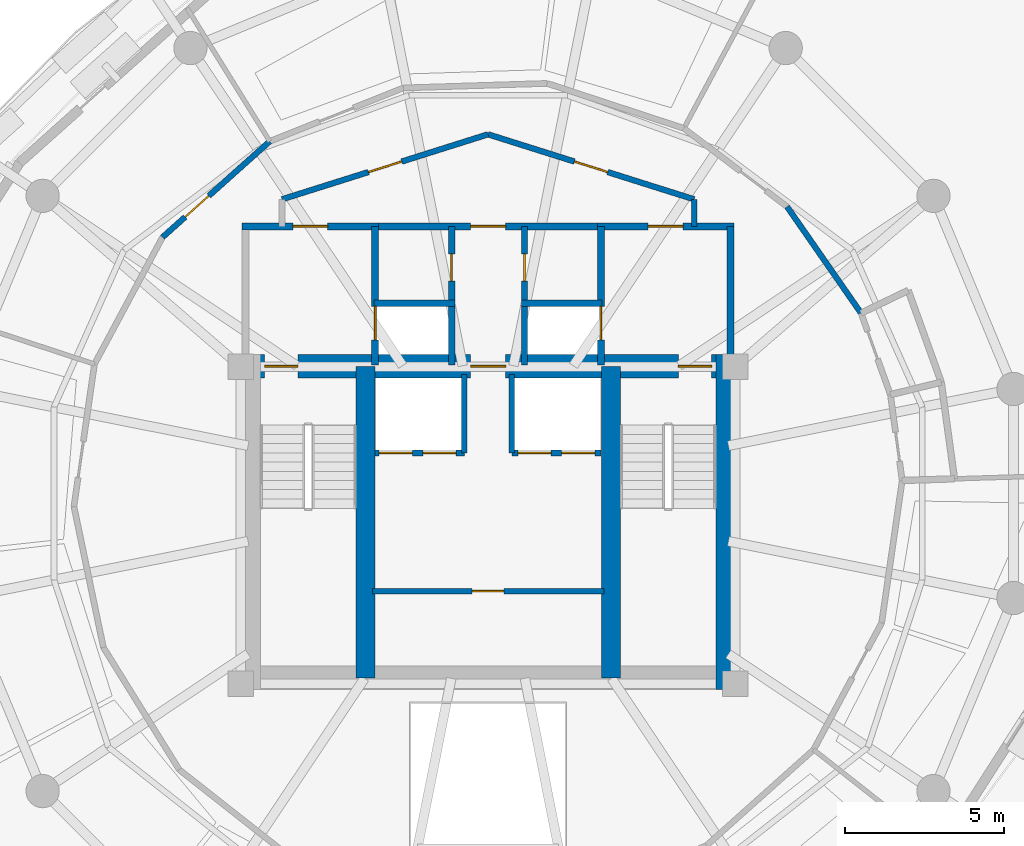
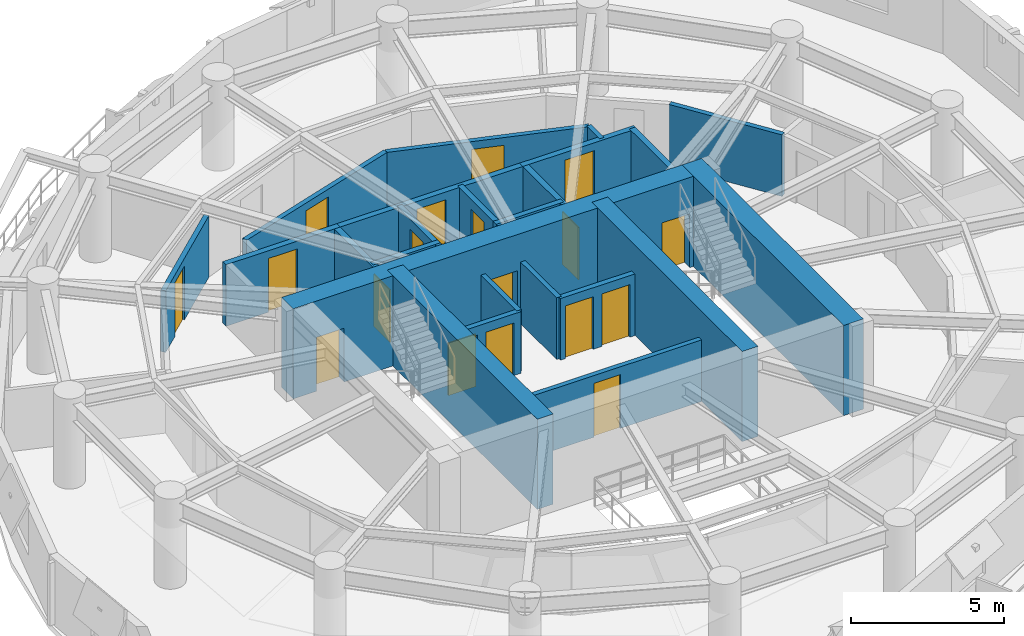
# One storey, part 8 of 12: 24 walls, 18 doors, 18 openings.
"""IFC4 building model written with IfcOpenShell, lengths in metres."""

import ifcopenshell
import ifcopenshell.guid

model = None  # the IFC model being written
_history = None  # IfcOwnerHistory: only IFC2X3 demands one
_inside = {}  # id of a spatial element -> (the spatial element, [elements in it])
_under = {}  # id of a project, library or spatial element -> (it, [spatial elements below it])
_declared = {}  # id of a project -> (the project, [libraries it declares])
_typed = {}  # id of a type object -> (the type object, [elements of that type])
_made_of = {}  # id of a material, layer set ... -> (it, [elements and type objects made of it])


def new_model(schema):
    """Start an empty IFC model of exactly this schema.

    Asked for "IFC4X3", IfcOpenShell would pick the latest addendum, in which some entities
    have other attributes; the version numbers below select the first issue.
    IFC2X3 requires an IfcOwnerHistory on every rooted entity: one is made here for all.
    """
    global model, _history
    if schema == "IFC4X3":
        model = ifcopenshell.file(schema_version=(4, 3, 0, 0))
    else:
        model = ifcopenshell.file(schema=schema)
    _inside.clear()
    _under.clear()
    _declared.clear()
    _typed.clear()
    _made_of.clear()
    _history = None
    if model.schema == "IFC2X3":
        org = make("IfcOrganization", Name="unknown")
        user = make(
            "IfcPersonAndOrganization",
            ThePerson=make("IfcPerson", FamilyName="unknown"),
            TheOrganization=org,
        )
        app = make(
            "IfcApplication",
            ApplicationDeveloper=org,
            Version="unknown",
            ApplicationFullName="unknown",
            ApplicationIdentifier="unknown",
        )
        _history = make(
            "IfcOwnerHistory",
            OwningUser=user,
            OwningApplication=app,
            ChangeAction="ADDED",
            CreationDate=0,
        )
    return model


def make(cls, **values):
    """One entity of the class cls with the attributes given. An attribute that is None is left unset."""
    return model.create_entity(
        cls, **{name: value for name, value in values.items() if value is not None}
    )


def rooted(cls, **values):
    """An entity with a GlobalId (a new one), such as an element, a storey or a relation."""
    return make(cls, GlobalId=ifcopenshell.guid.new(), OwnerHistory=_history, **values)


def si_unit(unit_type, name, prefix=None):
    """IfcSIUnit, for example si_unit("LENGTHUNIT", "METRE", prefix="MILLI")."""
    return make("IfcSIUnit", UnitType=unit_type, Prefix=prefix, Name=name)


def assignment(units):
    """IfcUnitAssignment: the units of a project."""
    return None if units is None else make("IfcUnitAssignment", Units=units)


def point(xyz):
    """IfcCartesianPoint."""
    return None if xyz is None else make("IfcCartesianPoint", Coordinates=xyz)


def direction(xyz):
    """IfcDirection."""
    return None if xyz is None else make("IfcDirection", DirectionRatios=xyz)


def frame(location, z_axis=None, x_axis=None):
    """IfcAxis2Placement3D, a coordinate frame: its origin and axes. An axis left out is left unset."""
    return make(
        "IfcAxis2Placement3D",
        Location=point(location),
        Axis=direction(z_axis),
        RefDirection=direction(x_axis),
    )


def frame_2d(location, x_axis=None):
    """IfcAxis2Placement2D, a coordinate frame in the plane: its origin and x axis."""
    return make(
        "IfcAxis2Placement2D", Location=point(location), RefDirection=direction(x_axis)
    )


def origin():
    """The frame at (0, 0, 0) with its axes left unset."""
    return frame((0.0, 0.0, 0.0))


def place(relative_to, where):
    """IfcLocalPlacement: puts the frame where relative to a parent placement (None: the world)."""
    return make(
        "IfcLocalPlacement", PlacementRelTo=relative_to, RelativePlacement=where
    )


def context(
    kind, dimensions, precision=None, world=None, true_north=None, identifier=None
):
    """IfcGeometricRepresentationContext, for example the 3D "Model" context."""
    return make(
        "IfcGeometricRepresentationContext",
        ContextIdentifier=identifier,
        ContextType=kind,
        CoordinateSpaceDimension=dimensions,
        Precision=precision,
        WorldCoordinateSystem=world,
        TrueNorth=true_north,
    )


def subcontext(parent, identifier, kind, view, scale=None):
    """IfcGeometricRepresentationSubContext, for example "Body" below "Model"."""
    return make(
        "IfcGeometricRepresentationSubContext",
        ContextIdentifier=identifier,
        ContextType=kind,
        ParentContext=parent,
        TargetScale=scale,
        TargetView=view,
    )


def project(units=None, contexts=None):
    """IfcProject with its units and contexts."""
    return rooted(
        "IfcProject",
        Name="project",
        RepresentationContexts=contexts,
        UnitsInContext=assignment(units),
    )


def spatial(cls, under=None, at=None, **own):
    """A site, building, storey or space (cls), placed at a placement, below another one or the project."""
    s = rooted(cls, ObjectPlacement=at, **own)
    if under is not None:
        _under.setdefault(under.id(), (under, []))[1].append(s)
    return s


def profile(cls, at=None, kind="AREA", **sizes):
    """A parametric profile (cls). Its sizes go by their IFC names, for example OverallWidth=200.0."""
    return make(cls, ProfileType=kind, Position=at, **sizes)


def rectangle(**sizes):
    """IfcRectangleProfileDef."""
    return profile("IfcRectangleProfileDef", **sizes)


def extrude(swept, where, along, depth):
    """IfcExtrudedAreaSolid: the profile swept, set in the frame where, extruded along a direction by depth."""
    return make(
        "IfcExtrudedAreaSolid",
        SweptArea=swept,
        Position=where,
        ExtrudedDirection=direction(along),
        Depth=depth,
    )


def shape(context_of_items, identifier, shape_type, items):
    """IfcShapeRepresentation: the items that make up one representation, for example the "Body"."""
    return make(
        "IfcShapeRepresentation",
        ContextOfItems=context_of_items,
        RepresentationIdentifier=identifier,
        RepresentationType=shape_type,
        Items=items,
    )


def material(Name=None, Category=None):
    """IfcMaterial."""
    return make("IfcMaterial", Name=Name, Category=Category)


def layer(
    of_material, thickness, ventilated=None, Name=None, Category=None, Priority=None
):
    """IfcMaterialLayer: one layer of a wall or slab, of a material (None: an air gap)."""
    return make(
        "IfcMaterialLayer",
        Material=of_material,
        LayerThickness=thickness,
        IsVentilated=ventilated,
        Name=Name,
        Category=Category,
        Priority=Priority,
    )


def layer_set(layers, Name=None):
    """IfcMaterialLayerSet."""
    return make("IfcMaterialLayerSet", MaterialLayers=layers, LayerSetName=Name)


def made_of(thing, what):
    """Note that an element or type object is made of a material, layer set ...; save() writes the relation."""
    if what is not None:
        _made_of.setdefault(what.id(), (what, []))[1].append(thing)
    return thing


def type_object(cls, material=None, **own):
    """A type object (cls), such as IfcWallType, which elements share."""
    return made_of(rooted(cls, **own), material)


def element(
    cls,
    number,
    at=None,
    inside=None,
    cuts=None,
    type_object=None,
    material=None,
    context=None,
    identifier="Body",
    shape_type=None,
    held_by="IfcProductDefinitionShape",
    body=None,
    shapes=None,
    **own,
):
    """One element of the class cls, such as IfcWall. Its Tag is "e" and its number.

    at: its placement. inside: the storey or other place that contains it. cuts: it is an
    opening in that element (IfcRelVoidsElement). A single representation is given by context,
    identifier, shape_type and body (its items); several are given by shapes. held_by: the class
    of the entity that holds the representations. save() writes the other relations.
    """
    e = rooted(cls, Tag="e%d" % number, ObjectPlacement=at, **own)
    if body is not None:
        shapes = [shape(context, identifier, shape_type, body)]
    if shapes is not None:
        e.Representation = make(held_by, Representations=shapes)
    if inside is not None:
        _inside.setdefault(inside.id(), (inside, []))[1].append(e)
    if cuts is not None:
        rooted(
            "IfcRelVoidsElement", RelatingBuildingElement=cuts, RelatedOpeningElement=e
        )
    if type_object is not None:
        _typed.setdefault(type_object.id(), (type_object, []))[1].append(e)
    return made_of(e, material)


def fill(opening, filler):
    """IfcRelFillsElement: the door or window that sits in an opening."""
    return rooted(
        "IfcRelFillsElement",
        RelatingOpeningElement=opening,
        RelatedBuildingElement=filler,
    )


def aggregate(whole, parts):
    """IfcRelAggregates: a whole, such as a stair, and the parts it consists of."""
    return rooted("IfcRelAggregates", RelatingObject=whole, RelatedObjects=parts)


def save(model, path):
    """Write the relations noted so far, then the file.

    IfcRelAggregates (storeys below a building ...), IfcRelContainedInSpatialStructure (elements
    in a storey), IfcRelDefinesByType, IfcRelAssociatesMaterial and IfcRelDeclares: one each for
    every whole, place, type object, material and project.
    """
    for whole, parts in _under.values():
        aggregate(whole, parts)
    for where, things in _inside.values():
        rooted(
            "IfcRelContainedInSpatialStructure",
            RelatedElements=things,
            RelatingStructure=where,
        )
    for kind, things in _typed.values():
        rooted("IfcRelDefinesByType", RelatedObjects=things, RelatingType=kind)
    for what, things in _made_of.values():
        rooted("IfcRelAssociatesMaterial", RelatedObjects=things, RelatingMaterial=what)
    for by, libraries in _declared.values():
        rooted("IfcRelDeclares", RelatingContext=by, RelatedDefinitions=libraries)
    model.write(path)


model = new_model("IFC4")

# Units and contexts
model_context = context("Model", 3, precision=1e-05, world=origin(), true_north=direction((0.0, 1.0)))
body_context = subcontext(model_context, "Body", "Model", "MODEL_VIEW")
ifc_project = project(units=[si_unit("LENGTHUNIT", "METRE"), si_unit("AREAUNIT", "SQUARE_METRE"), si_unit("VOLUMEUNIT", "CUBIC_METRE"), si_unit("PLANEANGLEUNIT", "RADIAN"), si_unit("MASSUNIT", "GRAM", prefix="KILO"), si_unit("THERMODYNAMICTEMPERATUREUNIT", "KELVIN"), si_unit("POWERUNIT", "WATT")], contexts=[model_context])

# Site, building, storey
site_placement = place(None, origin())
site = spatial("IfcSite", under=ifc_project, at=site_placement, CompositionType="ELEMENT")
building_placement = place(site_placement, origin())
building = spatial("IfcBuilding", under=site, at=building_placement, Name="Ocrelia Relay Tower", CompositionType="ELEMENT")
storey_placement = place(building_placement, frame((0.0, 0.0, 206.0)))
storey = spatial("IfcBuildingStorey", under=building, at=storey_placement, Name="L50", CompositionType="ELEMENT", Elevation=206.0)

# Wall, openings, doors
ifc_material_1 = material(Name="Concrete C60/75", Category="concrete")
ifc_layer_1 = layer(ifc_material_1, 0.75, Name="Concrete C60/75")
ifc_layer_set_1 = layer_set([ifc_layer_1], Name="Concrete C60/75")
wall_type_1 = type_object("IfcWallType", Name="CW-CORE-750", PredefinedType="SHEAR", material=ifc_layer_set_1)
wall_1_placement = place(storey_placement, frame((26.072021484375, 30.012939453125, 0.0), z_axis=(0.0, 0.0, 1.0), x_axis=(1.0, 0.0, 0.0)))
wall_1 = element("IfcWall", 1, at=wall_1_placement, inside=storey, type_object=wall_type_1, Name="L50 Core Shear Wall N", PredefinedType="SHEAR", context=body_context, shape_type="SweptSolid", body=[
    extrude(rectangle(XDim=15.865966796875, YDim=0.75, at=frame_2d((7.93310546875, 0.0))), origin(), (0.0, 0.0, 1.0), 3.60009765625),
])
opening_1_placement = place(wall_1_placement, frame((0.8779296875, 0.0, 0.0)))
opening_1 = element("IfcOpeningElement", 2, at=opening_1_placement, cuts=wall_1, Name="Opening D-FD90", PredefinedType="OPENING", context=body_context, shape_type="SweptSolid", body=[
    extrude(rectangle(XDim=1.050048828125, YDim=2.14990234375, at=frame_2d((0.52490234375, 1.074951171875))), frame((0.0, 0.385009765625, 0.0), z_axis=(0.0, -1.0, 0.0), x_axis=(1.0, 0.0, 0.0)), (0.0, 0.0, 1.0), 0.77001953125),
])
opening_2_placement = place(wall_1_placement, frame((13.927978515625, 0.0, 0.0)))
opening_2 = element("IfcOpeningElement", 3, at=opening_2_placement, cuts=wall_1, Name="Opening D-FD90", PredefinedType="OPENING", context=body_context, shape_type="SweptSolid", body=[
    extrude(rectangle(XDim=1.050048828125, YDim=2.14990234375, at=frame_2d((0.52490234375, 1.074951171875))), frame((0.0, 0.385009765625, 0.0), z_axis=(0.0, -1.0, 0.0), x_axis=(1.0, 0.0, 0.0)), (0.0, 0.0, 1.0), 0.77001953125),
])
opening_3_placement = place(wall_1_placement, frame((7.3779296875, 0.0, 0.0)))
opening_3 = element("IfcOpeningElement", 4, at=opening_3_placement, cuts=wall_1, Name="Opening D-FD60", PredefinedType="OPENING", context=body_context, shape_type="SweptSolid", body=[
    extrude(rectangle(XDim=1.10009765625, YDim=2.14990234375, at=frame_2d((0.550048828125, 1.074951171875))), frame((0.0, 0.385009765625, 0.0), z_axis=(0.0, -1.0, 0.0), x_axis=(1.0, 0.0, 0.0)), (0.0, 0.0, 1.0), 0.77001953125),
])
ifc_material_2 = material(Name="Timber-core 60-min acoustic fire door", Category="wood")
door_type_1 = type_object("IfcDoorType", Name="DR-LOBBY-FD60-1100", OperationType="NOTDEFINED", PredefinedType="DOOR", material=ifc_material_2)
door_1_placement = place(opening_3_placement, origin())
door_1 = element("IfcDoor", 5, at=door_1_placement, inside=storey, type_object=door_type_1, Name="L50 Core Lift Lobby North Fire Door", OperationType="SINGLE_SWING_LEFT", OverallHeight=2.14990234375, OverallWidth=1.10009765625, PredefinedType="DOOR", context=body_context, shape_type="SweptSolid", body=[
    extrude(rectangle(XDim=1.10009765625, YDim=2.14990234375, at=frame_2d((0.550048828125, 1.074951171875))), frame((0.0, 0.02490234375, 0.0), z_axis=(0.0, -1.0, 0.0), x_axis=(1.0, 0.0, 0.0)), (0.0, 0.0, 1.0), 0.050048828125),
])
fill(opening_3, door_1)
ifc_material_3 = material(Name="Steel S355 90-min fire door", Category="steel")
door_type_2 = type_object("IfcDoorType", Name="DR-STAIR-FD90-1050", OperationType="NOTDEFINED", PredefinedType="DOOR", material=ifc_material_3)
door_2_placement = place(opening_1_placement, origin())
door_2 = element("IfcDoor", 6, at=door_2_placement, inside=storey, type_object=door_type_2, Name="L50 Stair ST1 Fire Door", OperationType="SINGLE_SWING_LEFT", OverallHeight=2.14990234375, OverallWidth=1.050048828125, PredefinedType="DOOR", context=body_context, shape_type="SweptSolid", body=[
    extrude(rectangle(XDim=1.050048828125, YDim=2.14990234375, at=frame_2d((0.52490234375, 1.074951171875))), frame((0.0, 0.02490234375, 0.0), z_axis=(0.0, -1.0, 0.0), x_axis=(1.0, 0.0, 0.0)), (0.0, 0.0, 1.0), 0.050048828125),
])
fill(opening_1, door_2)
door_3_placement = place(opening_2_placement, origin())
door_3 = element("IfcDoor", 7, at=door_3_placement, inside=storey, type_object=door_type_2, Name="L50 Stair ST2 Fire Door", OperationType="SINGLE_SWING_RIGHT", OverallHeight=2.14990234375, OverallWidth=1.050048828125, PredefinedType="DOOR", context=body_context, shape_type="SweptSolid", body=[
    extrude(rectangle(XDim=1.050048828125, YDim=2.14990234375, at=frame_2d((0.52490234375, 1.074951171875))), frame((0.0, 0.02490234375, 0.0), z_axis=(0.0, -1.0, 0.0), x_axis=(1.0, 0.0, 0.0)), (0.0, 0.0, 1.0), 0.050048828125),
])
fill(opening_2, door_3)

# Walls
wall_2_placement = place(storey_placement, frame((41.56298828125, 19.81201171875, 0.0), z_axis=(0.0, 0.0, 1.0), x_axis=(0.0, 1.0, 0.0)))
element("IfcWall", 8, at=wall_2_placement, inside=storey, type_object=wall_type_1, Name="L50 Core Shear Wall E", PredefinedType="SHEAR", context=body_context, shape_type="SweptSolid", body=[
    extrude(rectangle(XDim=10.575927734375, YDim=0.75, at=frame_2d((5.2880859375, 0.0))), origin(), (0.0, 0.0, 1.0), 3.60009765625),
])
for number, where, z_axis, x_axis, name in (
    (9, (30.137939453125, 20.18701171875, 0.0), (0.0, 0.0, 1.0), (0.0, 1.0, 0.0), "L50 Core Shear Wall SPW"),
    (10, (37.8720703125, 20.18701171875, 0.0), (0.0, 0.0, 1.0), (0.0, 1.0, 0.0), "L50 Core Shear Wall SPE"),
):
    element("IfcWall", number, at=place(storey_placement, frame(where, z_axis=z_axis, x_axis=x_axis)), inside=storey, type_object=wall_type_1, Name=name, PredefinedType="SHEAR", context=body_context, shape_type="SweptSolid", body=[
        extrude(rectangle(XDim=9.825927734375, YDim=0.60009765625, at=frame_2d((4.9130859375, 0.0))), origin(), (0.0, 0.0, 1.0), 3.60009765625),
    ])

# Wall, opening, door
ifc_material_4 = material(Name="Gypsum Fireboard Partition EI60", Category="gypsum")
ifc_layer_2 = layer(ifc_material_4, 0.179931640625, Name="Gypsum Fireboard Partition EI60")
ifc_layer_set_2 = layer_set([ifc_layer_2], Name="Gypsum Fireboard Partition EI60")
wall_type_2 = type_object("IfcWallType", Name="W-CORR-EI60-180", PredefinedType="PARTITIONING", material=ifc_layer_set_2)
wall_3_placement = place(storey_placement, frame((30.35009765625, 22.919921875, 0.0), z_axis=(0.0, 0.0, 1.0), x_axis=(1.0, 0.0, 0.0)))
wall_3 = element("IfcWall", 11, at=wall_3_placement, inside=storey, type_object=wall_type_2, Name="L50 Reclaimed Core Room Partition", PredefinedType="PARTITIONING", context=body_context, shape_type="SweptSolid", body=[
    extrude(rectangle(XDim=7.2998046875, YDim=0.179931640625, at=frame_2d((3.64990234375, 0.0))), origin(), (0.0, 0.0, 1.0), 2.4599609375),
])
opening_4_placement = place(wall_3_placement, frame((3.14990234375, 0.0, 0.0)))
opening_4 = element("IfcOpeningElement", 12, at=opening_4_placement, cuts=wall_3, Name="Opening D-RM100", PredefinedType="OPENING", context=body_context, shape_type="SweptSolid", body=[
    extrude(rectangle(XDim=1.0, YDim=2.14990234375, at=frame_2d((0.5, 1.074951171875))), frame((0.0, 0.10009765625, 0.0), z_axis=(0.0, -1.0, 0.0), x_axis=(1.0, 0.0, 0.0)), (0.0, 0.0, 1.0), 0.199951171875),
])
ifc_material_5 = material(Name="Acoustic oak veneer fire door", Category="wood")
door_type_3 = type_object("IfcDoorType", Name="DR-ROOM-FD60-1000", OperationType="NOTDEFINED", PredefinedType="DOOR", material=ifc_material_5)
door_4_placement = place(opening_4_placement, origin())
door_4 = element("IfcDoor", 13, at=door_4_placement, inside=storey, type_object=door_type_3, Name="L50 Calibration Laboratory Door", OperationType="SINGLE_SWING_LEFT", OverallHeight=2.14990234375, OverallWidth=1.0, PredefinedType="DOOR", context=body_context, shape_type="SweptSolid", body=[
    extrude(rectangle(XDim=1.0, YDim=2.14990234375, at=frame_2d((0.5, 1.074951171875))), frame((0.0, 0.02490234375, 0.0), z_axis=(0.0, -1.0, 0.0), x_axis=(1.0, 0.0, 0.0)), (0.0, 0.0, 1.0), 0.050048828125),
])
fill(opening_4, door_4)

# Wall
wall_4_placement = place(storey_placement, frame((40.5, 35.280029296875, 0.0), z_axis=(0.0, 0.0, 1.0), x_axis=(0.0, -1.0, 0.0)))
element("IfcWall", 14, at=wall_4_placement, inside=storey, type_object=wall_type_2, Name="L50 Smoke Lobby East Return", PredefinedType="PARTITIONING", context=body_context, shape_type="SweptSolid", body=[
    extrude(rectangle(XDim=0.85009765625, YDim=0.179931640625, at=frame_2d((0.425048828125, 0.0))), origin(), (0.0, 0.0, 1.0), 2.4599609375),
])

# Wall, opening, door
wall_5_placement = place(storey_placement, frame((27.5, 35.280029296875, 0.0), z_axis=(0.0, 0.0, 1.0), x_axis=(0.953691418528, 0.300786765376, 0.0)))
wall_5 = element("IfcWall", 15, at=wall_5_placement, inside=storey, type_object=wall_type_2, Name="L50 North Smoke Lobby W Screen Wall", PredefinedType="PARTITIONING", context=body_context, shape_type="SweptSolid", body=[
    extrude(rectangle(XDim=6.815673828125, YDim=0.179931640625, at=frame_2d((3.40771484375, 0.0))), origin(), (0.0, 0.0, 1.0), 2.4599609375),
])
opening_5_placement = place(wall_5_placement, frame((2.85791015625, 0.0, 0.0)))
opening_5 = element("IfcOpeningElement", 16, at=opening_5_placement, cuts=wall_5, Name="Opening D-FD60", PredefinedType="OPENING", context=body_context, shape_type="SweptSolid", body=[
    extrude(rectangle(XDim=1.10009765625, YDim=2.14990234375, at=frame_2d((0.550048828125, 1.074951171875))), frame((0.0, 0.10009765625, 0.0), z_axis=(0.0, -1.0, 0.0), x_axis=(1.0, 0.0, 0.0)), (0.0, 0.0, 1.0), 0.199951171875),
])
door_5_placement = place(opening_5_placement, origin())
door_5 = element("IfcDoor", 17, at=door_5_placement, inside=storey, type_object=door_type_1, Name="L50 North Smoke Lobby W Fire Door", OperationType="SINGLE_SWING_RIGHT", OverallHeight=2.14990234375, OverallWidth=1.10009765625, PredefinedType="DOOR", context=body_context, shape_type="SweptSolid", body=[
    extrude(rectangle(XDim=1.10009765625, YDim=2.14990234375, at=frame_2d((0.550048828125, 1.074951171875))), frame((0.0, 0.02490234375, 0.0), z_axis=(0.0, -1.0, 0.0), x_axis=(1.0, 0.0, 0.0)), (0.0, 0.0, 1.0), 0.050048828125),
])
fill(opening_5, door_5)

wall_6_placement = place(storey_placement, frame((34.0, 37.330078125, 0.0), z_axis=(0.0, 0.0, 1.0), x_axis=(0.953691418528, -0.300786765376, 0.0)))
wall_6 = element("IfcWall", 18, at=wall_6_placement, inside=storey, type_object=wall_type_2, Name="L50 North Smoke Lobby E Screen Wall", PredefinedType="PARTITIONING", context=body_context, shape_type="SweptSolid", body=[
    extrude(rectangle(XDim=6.815673828125, YDim=0.179931640625, at=frame_2d((3.40771484375, 0.0))), origin(), (0.0, 0.0, 1.0), 2.4599609375),
])
opening_6_placement = place(wall_6_placement, frame((2.85791015625, 0.0, 0.0)))
opening_6 = element("IfcOpeningElement", 19, at=opening_6_placement, cuts=wall_6, Name="Opening D-FD60", PredefinedType="OPENING", context=body_context, shape_type="SweptSolid", body=[
    extrude(rectangle(XDim=1.10009765625, YDim=2.14990234375, at=frame_2d((0.550048828125, 1.074951171875))), frame((0.0, 0.10009765625, 0.0), z_axis=(0.0, -1.0, 0.0), x_axis=(1.0, 0.0, 0.0)), (0.0, 0.0, 1.0), 0.199951171875),
])
door_6_placement = place(opening_6_placement, origin())
door_6 = element("IfcDoor", 20, at=door_6_placement, inside=storey, type_object=door_type_1, Name="L50 North Smoke Lobby E Fire Door", OperationType="SINGLE_SWING_LEFT", OverallHeight=2.14990234375, OverallWidth=1.10009765625, PredefinedType="DOOR", context=body_context, shape_type="SweptSolid", body=[
    extrude(rectangle(XDim=1.10009765625, YDim=2.14990234375, at=frame_2d((0.550048828125, 1.074951171875))), frame((0.0, 0.02490234375, 0.0), z_axis=(0.0, -1.0, 0.0), x_axis=(1.0, 0.0, 0.0)), (0.0, 0.0, 1.0), 0.050048828125),
])
fill(opening_6, door_6)

# Wall
wall_7_placement = place(storey_placement, frame((45.76708984375, 31.6884765625, 0.0), z_axis=(0.0, 0.0, 1.0), x_axis=(-0.570702334989, 0.821157015947, 0.0)))
element("IfcWall", 21, at=wall_7_placement, inside=storey, type_object=wall_type_2, Name="L50 Equipment Staging Store Corridor Partition 1", PredefinedType="PARTITIONING", context=body_context, shape_type="SweptSolid", body=[
    extrude(rectangle(XDim=4.08935546875, YDim=0.179931640625, at=frame_2d((2.044677734375, 0.0))), origin(), (0.0, 0.0, 1.0), 2.4599609375),
])

# Wall, opening, door
wall_8_placement = place(storey_placement, frame((27.11279296875, 37.108154296875, 0.0), z_axis=(0.0, 0.0, 1.0), x_axis=(-0.745456496411, -0.66655428283, 0.0)))
wall_8 = element("IfcWall", 22, at=wall_8_placement, inside=storey, type_object=wall_type_2, Name="L50 Hardware Archive Store Corridor Partition 1", PredefinedType="PARTITIONING", context=body_context, shape_type="SweptSolid", body=[
    extrude(rectangle(XDim=4.539306640625, YDim=0.179931640625, at=frame_2d((2.26953125, 0.0))), origin(), (0.0, 0.0, 1.0), 2.4599609375),
])
opening_7_placement = place(wall_8_placement, frame((2.579345703125, 0.0, 0.0)))
opening_7 = element("IfcOpeningElement", 23, at=opening_7_placement, cuts=wall_8, Name="Opening D-RM100", PredefinedType="OPENING", context=body_context, shape_type="SweptSolid", body=[
    extrude(rectangle(XDim=1.0, YDim=2.14990234375, at=frame_2d((0.5, 1.074951171875))), frame((0.0, 0.10009765625, 0.0), z_axis=(0.0, -1.0, 0.0), x_axis=(1.0, 0.0, 0.0)), (0.0, 0.0, 1.0), 0.199951171875),
])
door_7_placement = place(opening_7_placement, origin())
door_7 = element("IfcDoor", 24, at=door_7_placement, inside=storey, type_object=door_type_3, Name="L50 Hardware Archive Store Entrance Door", OperationType="SINGLE_SWING_RIGHT", OverallHeight=2.14990234375, OverallWidth=1.0, PredefinedType="DOOR", context=body_context, shape_type="SweptSolid", body=[
    extrude(rectangle(XDim=1.0, YDim=2.14990234375, at=frame_2d((0.5, 1.074951171875))), frame((0.0, 0.02490234375, 0.0), z_axis=(0.0, -1.0, 0.0), x_axis=(1.0, 0.0, 0.0)), (0.0, 0.0, 1.0), 0.050048828125),
])
fill(opening_7, door_7)

ifc_material_6 = material(Name="Concrete C50/60", Category="concrete")
ifc_layer_3 = layer(ifc_material_6, 0.219970703125, Name="Concrete C50/60")
ifc_layer_set_3 = layer_set([ifc_layer_3], Name="Concrete C50/60")
wall_type_3 = type_object("IfcWallType", Name="W-FFL-EI120-220", PredefinedType="SOLIDWALL", material=ifc_layer_set_3)
wall_9_placement = place(storey_placement, frame((30.43994140625, 30.050048828125, 0.0), z_axis=(0.0, 0.0, 1.0), x_axis=(0.0, 1.0, 0.0)))
wall_9 = element("IfcWall", 25, at=wall_9_placement, inside=storey, type_object=wall_type_3, Name="L50 W Fire Service Lift Lobby East Wall", PredefinedType="SOLIDWALL", context=body_context, shape_type="SweptSolid", body=[
    extrude(rectangle(XDim=4.3798828125, YDim=0.219970703125, at=frame_2d((2.18994140625, 0.0))), origin(), (0.0, 0.0, 1.0), 2.4599609375),
])
opening_8_placement = place(wall_9_placement, frame((0.800048828125, 0.0, 0.0)))
opening_8 = element("IfcOpeningElement", 26, at=opening_8_placement, cuts=wall_9, Name="Opening LD-FFL1", PredefinedType="OPENING", context=body_context, shape_type="SweptSolid", body=[
    extrude(rectangle(XDim=1.050048828125, YDim=2.10009765625, at=frame_2d((0.52490234375, 1.050048828125))), frame((0.0, 0.1201171875, 0.0), z_axis=(0.0, -1.0, 0.0), x_axis=(1.0, 0.0, 0.0)), (0.0, 0.0, 1.0), 0.239990234375),
])
ifc_material_7 = material(Name="Brushed stainless steel S355 lift landing door", Category="steel")
door_type_4 = type_object("IfcDoorType", Name="DR-LIFT-LAND-1050", OperationType="DOUBLE_DOOR_SLIDING", PredefinedType="USERDEFINED", material=ifc_material_7)
door_8_placement = place(opening_8_placement, origin())
door_8 = element("IfcDoor", 27, at=door_8_placement, inside=storey, type_object=door_type_4, Name="L50 Firefighting Lift FFL1 Sliding Landing Door", ObjectType="LANDING DOOR", OperationType="DOUBLE_DOOR_SLIDING", OverallHeight=2.10009765625, OverallWidth=1.050048828125, PredefinedType="USERDEFINED", context=body_context, shape_type="SweptSolid", body=[
    extrude(rectangle(XDim=1.050048828125, YDim=2.10009765625, at=frame_2d((0.52490234375, 1.050048828125))), frame((0.0, 0.02490234375, 0.0), z_axis=(0.0, -1.0, 0.0), x_axis=(1.0, 0.0, 0.0)), (0.0, 0.0, 1.0), 0.050048828125),
])
fill(opening_8, door_8)

wall_10_placement = place(storey_placement, frame((26.239990234375, 34.429931640625, 0.0), z_axis=(0.0, 0.0, 1.0), x_axis=(1.0, 0.0, 0.0)))
wall_10 = element("IfcWall", 28, at=wall_10_placement, inside=storey, type_object=wall_type_3, Name="L50 W Fire Service Lift Lobby North Wall", PredefinedType="SOLIDWALL", context=body_context, shape_type="SweptSolid", body=[
    extrude(rectangle(XDim=4.31005859375, YDim=0.219970703125, at=frame_2d((2.155029296875, 0.0))), origin(), (0.0, 0.0, 1.0), 2.4599609375),
])
opening_9_placement = place(wall_10_placement, frame((1.60009765625, 0.0, 0.0)))
opening_9 = element("IfcOpeningElement", 29, at=opening_9_placement, cuts=wall_10, Name="Opening D-FD60", PredefinedType="OPENING", context=body_context, shape_type="SweptSolid", body=[
    extrude(rectangle(XDim=1.10009765625, YDim=2.14990234375, at=frame_2d((0.550048828125, 1.074951171875))), frame((0.0, 0.1201171875, 0.0), z_axis=(0.0, -1.0, 0.0), x_axis=(1.0, 0.0, 0.0)), (0.0, 0.0, 1.0), 0.239990234375),
])
door_9_placement = place(opening_9_placement, origin())
door_9 = element("IfcDoor", 30, at=door_9_placement, inside=storey, type_object=door_type_1, Name="L50 W Fire Service Lift Lobby Exit Door", OperationType="SINGLE_SWING_RIGHT", OverallHeight=2.14990234375, OverallWidth=1.10009765625, PredefinedType="DOOR", context=body_context, shape_type="SweptSolid", body=[
    extrude(rectangle(XDim=1.10009765625, YDim=2.14990234375, at=frame_2d((0.550048828125, 1.074951171875))), frame((0.0, 0.02490234375, 0.0), z_axis=(0.0, -1.0, 0.0), x_axis=(1.0, 0.0, 0.0)), (0.0, 0.0, 1.0), 0.050048828125),
])
fill(opening_9, door_9)

wall_11_placement = place(storey_placement, frame((37.56005859375, 30.050048828125, 0.0), z_axis=(0.0, 0.0, 1.0), x_axis=(0.0, 1.0, 0.0)))
wall_11 = element("IfcWall", 31, at=wall_11_placement, inside=storey, type_object=wall_type_3, Name="L50 E Fire Service Lift Lobby West Wall", PredefinedType="SOLIDWALL", context=body_context, shape_type="SweptSolid", body=[
    extrude(rectangle(XDim=4.3798828125, YDim=0.219970703125, at=frame_2d((2.18994140625, 0.0))), origin(), (0.0, 0.0, 1.0), 2.4599609375),
])
opening_10_placement = place(wall_11_placement, frame((0.800048828125, 0.0, 0.0)))
opening_10 = element("IfcOpeningElement", 32, at=opening_10_placement, cuts=wall_11, Name="Opening LD-FFL2", PredefinedType="OPENING", context=body_context, shape_type="SweptSolid", body=[
    extrude(rectangle(XDim=1.050048828125, YDim=2.10009765625, at=frame_2d((0.52490234375, 1.050048828125))), frame((0.0, 0.1201171875, 0.0), z_axis=(0.0, -1.0, 0.0), x_axis=(1.0, 0.0, 0.0)), (0.0, 0.0, 1.0), 0.239990234375),
])
door_10_placement = place(opening_10_placement, origin())
door_10 = element("IfcDoor", 33, at=door_10_placement, inside=storey, type_object=door_type_4, Name="L50 Firefighting Lift FFL2 Sliding Landing Door", ObjectType="LANDING DOOR", OperationType="DOUBLE_DOOR_SLIDING", OverallHeight=2.10009765625, OverallWidth=1.050048828125, PredefinedType="USERDEFINED", context=body_context, shape_type="SweptSolid", body=[
    extrude(rectangle(XDim=1.050048828125, YDim=2.10009765625, at=frame_2d((0.52490234375, 1.050048828125))), frame((0.0, 0.02490234375, 0.0), z_axis=(0.0, -1.0, 0.0), x_axis=(1.0, 0.0, 0.0)), (0.0, 0.0, 1.0), 0.050048828125),
])
fill(opening_10, door_10)

# Wall
wall_12_placement = place(storey_placement, frame((41.64990234375, 30.050048828125, 0.0), z_axis=(0.0, 0.0, 1.0), x_axis=(0.0, 1.0, 0.0)))
element("IfcWall", 34, at=wall_12_placement, inside=storey, type_object=wall_type_3, Name="L50 E Fire Service Lift Lobby East Wall", PredefinedType="SOLIDWALL", context=body_context, shape_type="SweptSolid", body=[
    extrude(rectangle(XDim=4.3798828125, YDim=0.219970703125, at=frame_2d((2.18994140625, 0.0))), origin(), (0.0, 0.0, 1.0), 2.4599609375),
])

# Wall, opening, door
wall_13_placement = place(storey_placement, frame((37.449951171875, 34.429931640625, 0.0), z_axis=(0.0, 0.0, 1.0), x_axis=(1.0, 0.0, 0.0)))
wall_13 = element("IfcWall", 35, at=wall_13_placement, inside=storey, type_object=wall_type_3, Name="L50 E Fire Service Lift Lobby North Wall", PredefinedType="SOLIDWALL", context=body_context, shape_type="SweptSolid", body=[
    extrude(rectangle(XDim=4.31005859375, YDim=0.219970703125, at=frame_2d((2.155029296875, 0.0))), origin(), (0.0, 0.0, 1.0), 2.4599609375),
])
opening_11_placement = place(wall_13_placement, frame((1.60009765625, 0.0, 0.0)))
opening_11 = element("IfcOpeningElement", 36, at=opening_11_placement, cuts=wall_13, Name="Opening D-FD60", PredefinedType="OPENING", context=body_context, shape_type="SweptSolid", body=[
    extrude(rectangle(XDim=1.10009765625, YDim=2.14990234375, at=frame_2d((0.550048828125, 1.074951171875))), frame((0.0, 0.1201171875, 0.0), z_axis=(0.0, -1.0, 0.0), x_axis=(1.0, 0.0, 0.0)), (0.0, 0.0, 1.0), 0.239990234375),
])
door_11_placement = place(opening_11_placement, origin())
door_11 = element("IfcDoor", 37, at=door_11_placement, inside=storey, type_object=door_type_1, Name="L50 E Fire Service Lift Lobby Exit Door", OperationType="SINGLE_SWING_RIGHT", OverallHeight=2.14990234375, OverallWidth=1.10009765625, PredefinedType="DOOR", context=body_context, shape_type="SweptSolid", body=[
    extrude(rectangle(XDim=1.10009765625, YDim=2.14990234375, at=frame_2d((0.550048828125, 1.074951171875))), frame((0.0, 0.02490234375, 0.0), z_axis=(0.0, -1.0, 0.0), x_axis=(1.0, 0.0, 0.0)), (0.0, 0.0, 1.0), 0.050048828125),
])
fill(opening_11, door_11)

wall_14_placement = place(storey_placement, frame((30.43994140625, 34.429931640625, 0.0), z_axis=(0.0, 0.0, 1.0), x_axis=(1.0, 0.0, 0.0)))
wall_14 = element("IfcWall", 38, at=wall_14_placement, inside=storey, type_object=wall_type_3, Name="L50 North Core Vestibule Wall", PredefinedType="SOLIDWALL", context=body_context, shape_type="SweptSolid", body=[
    extrude(rectangle(XDim=7.1201171875, YDim=0.219970703125, at=frame_2d((3.56005859375, 0.0))), origin(), (0.0, 0.0, 1.0), 2.4599609375),
])
opening_12_placement = place(wall_14_placement, frame((3.010009765625, 0.0, 0.0)))
opening_12 = element("IfcOpeningElement", 39, at=opening_12_placement, cuts=wall_14, Name="Opening D-FD60", PredefinedType="OPENING", context=body_context, shape_type="SweptSolid", body=[
    extrude(rectangle(XDim=1.10009765625, YDim=2.14990234375, at=frame_2d((0.550048828125, 1.074951171875))), frame((0.0, 0.1201171875, 0.0), z_axis=(0.0, -1.0, 0.0), x_axis=(1.0, 0.0, 0.0)), (0.0, 0.0, 1.0), 0.239990234375),
])
door_12_placement = place(opening_12_placement, origin())
door_12 = element("IfcDoor", 40, at=door_12_placement, inside=storey, type_object=door_type_1, Name="L50 North Core Vestibule Corridor Door", OperationType="SINGLE_SWING_RIGHT", OverallHeight=2.14990234375, OverallWidth=1.10009765625, PredefinedType="DOOR", context=body_context, shape_type="SweptSolid", body=[
    extrude(rectangle(XDim=1.10009765625, YDim=2.14990234375, at=frame_2d((0.550048828125, 1.074951171875))), frame((0.0, 0.02490234375, 0.0), z_axis=(0.0, -1.0, 0.0), x_axis=(1.0, 0.0, 0.0)), (0.0, 0.0, 1.0), 0.050048828125),
])
fill(opening_12, door_12)

# Wall
ifc_layer_4 = layer(ifc_material_6, 0.199951171875, Name="Concrete C50/60")
ifc_layer_set_4 = layer_set([ifc_layer_4], Name="Concrete C50/60")
wall_type_4 = type_object("IfcWallType", Name="W-SHAFT-EI120-200", PredefinedType="SOLIDWALL", material=ifc_layer_set_4)
wall_15_placement = place(storey_placement, frame((30.39990234375, 32.0, 0.0), z_axis=(0.0, 0.0, 1.0), x_axis=(1.0, 0.0, 0.0)))
element("IfcWall", 41, at=wall_15_placement, inside=storey, type_object=wall_type_4, Name="L50 FFL1 Hoistway North Wall", PredefinedType="SOLIDWALL", context=body_context, shape_type="SweptSolid", body=[
    extrude(rectangle(XDim=2.550048828125, YDim=0.199951171875, at=frame_2d((1.27490234375, 0.0))), origin(), (0.0, 0.0, 1.0), 2.4599609375),
])

# Wall, opening, door
wall_16_placement = place(storey_placement, frame((32.85009765625, 30.050048828125, 0.0), z_axis=(0.0, 0.0, 1.0), x_axis=(0.0, 1.0, 0.0)))
wall_16 = element("IfcWall", 42, at=wall_16_placement, inside=storey, type_object=wall_type_4, Name="L50 FFL1 and Service Vestibule Wall", PredefinedType="SOLIDWALL", context=body_context, shape_type="SweptSolid", body=[
    extrude(rectangle(XDim=4.3798828125, YDim=0.199951171875, at=frame_2d((2.18994140625, 0.0))), origin(), (0.0, 0.0, 1.0), 2.4599609375),
])
opening_13_placement = place(wall_16_placement, frame((2.64990234375, 0.0, 0.0)))
opening_13 = element("IfcOpeningElement", 43, at=opening_13_placement, cuts=wall_16, Name="Opening D-RS86", PredefinedType="OPENING", context=body_context, shape_type="SweptSolid", body=[
    extrude(rectangle(XDim=0.860107421875, YDim=2.050048828125, at=frame_2d((0.43017578125, 1.02490234375))), frame((0.0, 0.10986328125, 0.0), z_axis=(0.0, -1.0, 0.0), x_axis=(1.0, 0.0, 0.0)), (0.0, 0.0, 1.0), 0.219970703125),
])
ifc_material_8 = material(Name="Steel S355 riser access fire door", Category="steel")
door_type_5 = type_object("IfcDoorType", Name="DR-RISER-TRAP-860", OperationType="NOTDEFINED", PredefinedType="TRAPDOOR", material=ifc_material_8)
door_13_placement = place(opening_13_placement, origin())
door_13 = element("IfcDoor", 44, at=door_13_placement, inside=storey, type_object=door_type_5, Name="L50 Core Support Room W Door", OperationType="SINGLE_SWING_LEFT", OverallHeight=2.050048828125, OverallWidth=0.860107421875, PredefinedType="TRAPDOOR", context=body_context, shape_type="SweptSolid", body=[
    extrude(rectangle(XDim=0.860107421875, YDim=2.050048828125, at=frame_2d((0.43017578125, 1.02490234375))), frame((0.0, 0.02490234375, 0.0), z_axis=(0.0, -1.0, 0.0), x_axis=(1.0, 0.0, 0.0)), (0.0, 0.0, 1.0), 0.050048828125),
])
fill(opening_13, door_13)

# Wall
wall_17_placement = place(storey_placement, frame((35.050048828125, 32.0, 0.0), z_axis=(0.0, 0.0, 1.0), x_axis=(1.0, 0.0, 0.0)))
element("IfcWall", 45, at=wall_17_placement, inside=storey, type_object=wall_type_4, Name="L50 FFL2 Hoistway North Wall", PredefinedType="SOLIDWALL", context=body_context, shape_type="SweptSolid", body=[
    extrude(rectangle(XDim=2.550048828125, YDim=0.199951171875, at=frame_2d((1.27490234375, 0.0))), origin(), (0.0, 0.0, 1.0), 2.4599609375),
])

# Wall, opening, door
wall_18_placement = place(storey_placement, frame((35.14990234375, 30.050048828125, 0.0), z_axis=(0.0, 0.0, 1.0), x_axis=(0.0, 1.0, 0.0)))
wall_18 = element("IfcWall", 46, at=wall_18_placement, inside=storey, type_object=wall_type_4, Name="L50 FFL2 and Service Vestibule Wall", PredefinedType="SOLIDWALL", context=body_context, shape_type="SweptSolid", body=[
    extrude(rectangle(XDim=4.3798828125, YDim=0.199951171875, at=frame_2d((2.18994140625, 0.0))), origin(), (0.0, 0.0, 1.0), 2.4599609375),
])
opening_14_placement = place(wall_18_placement, frame((2.64990234375, 0.0, 0.0)))
opening_14 = element("IfcOpeningElement", 47, at=opening_14_placement, cuts=wall_18, Name="Opening D-RS86", PredefinedType="OPENING", context=body_context, shape_type="SweptSolid", body=[
    extrude(rectangle(XDim=0.860107421875, YDim=2.050048828125, at=frame_2d((0.43017578125, 1.02490234375))), frame((0.0, 0.10986328125, 0.0), z_axis=(0.0, -1.0, 0.0), x_axis=(1.0, 0.0, 0.0)), (0.0, 0.0, 1.0), 0.219970703125),
])
door_14_placement = place(opening_14_placement, origin())
door_14 = element("IfcDoor", 48, at=door_14_placement, inside=storey, type_object=door_type_5, Name="L50 Core Support Room E Door", OperationType="SINGLE_SWING_LEFT", OverallHeight=2.050048828125, OverallWidth=0.860107421875, PredefinedType="TRAPDOOR", context=body_context, shape_type="SweptSolid", body=[
    extrude(rectangle(XDim=0.860107421875, YDim=2.050048828125, at=frame_2d((0.43017578125, 1.02490234375))), frame((0.0, 0.02490234375, 0.0), z_axis=(0.0, -1.0, 0.0), x_axis=(1.0, 0.0, 0.0)), (0.0, 0.0, 1.0), 0.050048828125),
])
fill(opening_14, door_14)

# Wall, openings, doors
wall_19_placement = place(storey_placement, frame((30.43994140625, 27.280029296875, 0.0), z_axis=(0.0, 0.0, 1.0), x_axis=(1.0, 0.0, 0.0)))
wall_19 = element("IfcWall", 49, at=wall_19_placement, inside=storey, type_object=wall_type_4, Name="L50 High-Rise Lift Hoistway Wall W", PredefinedType="SOLIDWALL", context=body_context, shape_type="SweptSolid", body=[
    extrude(rectangle(XDim=2.81005859375, YDim=0.199951171875, at=frame_2d((1.405029296875, 0.0))), origin(), (0.0, 0.0, 1.0), 2.4599609375),
])
opening_15_placement = place(wall_19_placement, frame((0.1201171875, 0.0, 0.0)))
opening_15 = element("IfcOpeningElement", 50, at=opening_15_placement, cuts=wall_19, Name="Opening LD-PL5", PredefinedType="OPENING", context=body_context, shape_type="SweptSolid", body=[
    extrude(rectangle(XDim=1.050048828125, YDim=2.10009765625, at=frame_2d((0.52490234375, 1.050048828125))), frame((0.0, 0.10986328125, 0.0), z_axis=(0.0, -1.0, 0.0), x_axis=(1.0, 0.0, 0.0)), (0.0, 0.0, 1.0), 0.219970703125),
])
opening_16_placement = place(wall_19_placement, frame((1.5, 0.0, 0.0)))
opening_16 = element("IfcOpeningElement", 51, at=opening_16_placement, cuts=wall_19, Name="Opening LD-PL6", PredefinedType="OPENING", context=body_context, shape_type="SweptSolid", body=[
    extrude(rectangle(XDim=1.050048828125, YDim=2.10009765625, at=frame_2d((0.52490234375, 1.050048828125))), frame((0.0, 0.10986328125, 0.0), z_axis=(0.0, -1.0, 0.0), x_axis=(1.0, 0.0, 0.0)), (0.0, 0.0, 1.0), 0.219970703125),
])
door_15_placement = place(opening_15_placement, origin())
door_15 = element("IfcDoor", 52, at=door_15_placement, inside=storey, type_object=door_type_4, Name="L50 High-Rise Lift PL5 Sliding Landing Door", ObjectType="LANDING DOOR", OperationType="DOUBLE_DOOR_SLIDING", OverallHeight=2.10009765625, OverallWidth=1.050048828125, PredefinedType="USERDEFINED", context=body_context, shape_type="SweptSolid", body=[
    extrude(rectangle(XDim=1.050048828125, YDim=2.10009765625, at=frame_2d((0.52490234375, 1.050048828125))), frame((0.0, 0.02490234375, 0.0), z_axis=(0.0, -1.0, 0.0), x_axis=(1.0, 0.0, 0.0)), (0.0, 0.0, 1.0), 0.050048828125),
])
fill(opening_15, door_15)
door_16_placement = place(opening_16_placement, origin())
door_16 = element("IfcDoor", 53, at=door_16_placement, inside=storey, type_object=door_type_4, Name="L50 High-Rise Lift PL6 Sliding Landing Door", ObjectType="LANDING DOOR", OperationType="DOUBLE_DOOR_SLIDING", OverallHeight=2.10009765625, OverallWidth=1.050048828125, PredefinedType="USERDEFINED", context=body_context, shape_type="SweptSolid", body=[
    extrude(rectangle(XDim=1.050048828125, YDim=2.10009765625, at=frame_2d((0.52490234375, 1.050048828125))), frame((0.0, 0.02490234375, 0.0), z_axis=(0.0, -1.0, 0.0), x_axis=(1.0, 0.0, 0.0)), (0.0, 0.0, 1.0), 0.050048828125),
])
fill(opening_16, door_16)

# Wall
wall_20_placement = place(storey_placement, frame((33.25, 27.280029296875, 0.0), z_axis=(0.0, 0.0, 1.0), x_axis=(0.0, 1.0, 0.0)))
element("IfcWall", 54, at=wall_20_placement, inside=storey, type_object=wall_type_4, Name="L50 High-Rise Lift Throat Wall W", PredefinedType="SOLIDWALL", context=body_context, shape_type="SweptSolid", body=[
    extrude(rectangle(XDim=2.469970703125, YDim=0.179931640625, at=frame_2d((1.23486328125, 0.0))), origin(), (0.0, 0.0, 1.0), 2.4599609375),
])

# Wall, openings, doors
wall_21_placement = place(storey_placement, frame((34.75, 27.280029296875, 0.0), z_axis=(0.0, 0.0, 1.0), x_axis=(1.0, 0.0, 0.0)))
wall_21 = element("IfcWall", 55, at=wall_21_placement, inside=storey, type_object=wall_type_4, Name="L50 High-Rise Lift Hoistway Wall E", PredefinedType="SOLIDWALL", context=body_context, shape_type="SweptSolid", body=[
    extrude(rectangle(XDim=2.81005859375, YDim=0.199951171875, at=frame_2d((1.405029296875, 0.0))), origin(), (0.0, 0.0, 1.0), 2.4599609375),
])
opening_17_placement = place(wall_21_placement, frame((0.18994140625, 0.0, 0.0)))
opening_17 = element("IfcOpeningElement", 56, at=opening_17_placement, cuts=wall_21, Name="Opening LD-PL7", PredefinedType="OPENING", context=body_context, shape_type="SweptSolid", body=[
    extrude(rectangle(XDim=1.050048828125, YDim=2.10009765625, at=frame_2d((0.52490234375, 1.050048828125))), frame((0.0, 0.10986328125, 0.0), z_axis=(0.0, -1.0, 0.0), x_axis=(1.0, 0.0, 0.0)), (0.0, 0.0, 1.0), 0.219970703125),
])
opening_18_placement = place(wall_21_placement, frame((1.570068359375, 0.0, 0.0)))
opening_18 = element("IfcOpeningElement", 57, at=opening_18_placement, cuts=wall_21, Name="Opening LD-PL8", PredefinedType="OPENING", context=body_context, shape_type="SweptSolid", body=[
    extrude(rectangle(XDim=1.050048828125, YDim=2.10009765625, at=frame_2d((0.52490234375, 1.050048828125))), frame((0.0, 0.10986328125, 0.0), z_axis=(0.0, -1.0, 0.0), x_axis=(1.0, 0.0, 0.0)), (0.0, 0.0, 1.0), 0.219970703125),
])
door_17_placement = place(opening_17_placement, origin())
door_17 = element("IfcDoor", 58, at=door_17_placement, inside=storey, type_object=door_type_4, Name="L50 High-Rise Lift PL7 Sliding Landing Door", ObjectType="LANDING DOOR", OperationType="DOUBLE_DOOR_SLIDING", OverallHeight=2.10009765625, OverallWidth=1.050048828125, PredefinedType="USERDEFINED", context=body_context, shape_type="SweptSolid", body=[
    extrude(rectangle(XDim=1.050048828125, YDim=2.10009765625, at=frame_2d((0.52490234375, 1.050048828125))), frame((0.0, 0.02490234375, 0.0), z_axis=(0.0, -1.0, 0.0), x_axis=(1.0, 0.0, 0.0)), (0.0, 0.0, 1.0), 0.050048828125),
])
fill(opening_17, door_17)
door_18_placement = place(opening_18_placement, origin())
door_18 = element("IfcDoor", 59, at=door_18_placement, inside=storey, type_object=door_type_4, Name="L50 High-Rise Lift PL8 Sliding Landing Door", ObjectType="LANDING DOOR", OperationType="DOUBLE_DOOR_SLIDING", OverallHeight=2.10009765625, OverallWidth=1.050048828125, PredefinedType="USERDEFINED", context=body_context, shape_type="SweptSolid", body=[
    extrude(rectangle(XDim=1.050048828125, YDim=2.10009765625, at=frame_2d((0.52490234375, 1.050048828125))), frame((0.0, 0.02490234375, 0.0), z_axis=(0.0, -1.0, 0.0), x_axis=(1.0, 0.0, 0.0)), (0.0, 0.0, 1.0), 0.050048828125),
])
fill(opening_18, door_18)

# Wall
wall_22_placement = place(storey_placement, frame((34.75, 27.280029296875, 0.0), z_axis=(0.0, 0.0, 1.0), x_axis=(0.0, 1.0, 0.0)))
element("IfcWall", 60, at=wall_22_placement, inside=storey, type_object=wall_type_4, Name="L50 High-Rise Lift Throat Wall E", PredefinedType="SOLIDWALL", context=body_context, shape_type="SweptSolid", body=[
    extrude(rectangle(XDim=2.469970703125, YDim=0.179931640625, at=frame_2d((1.23486328125, 0.0))), origin(), (0.0, 0.0, 1.0), 2.4599609375),
])

save(model, "model.ifc")
